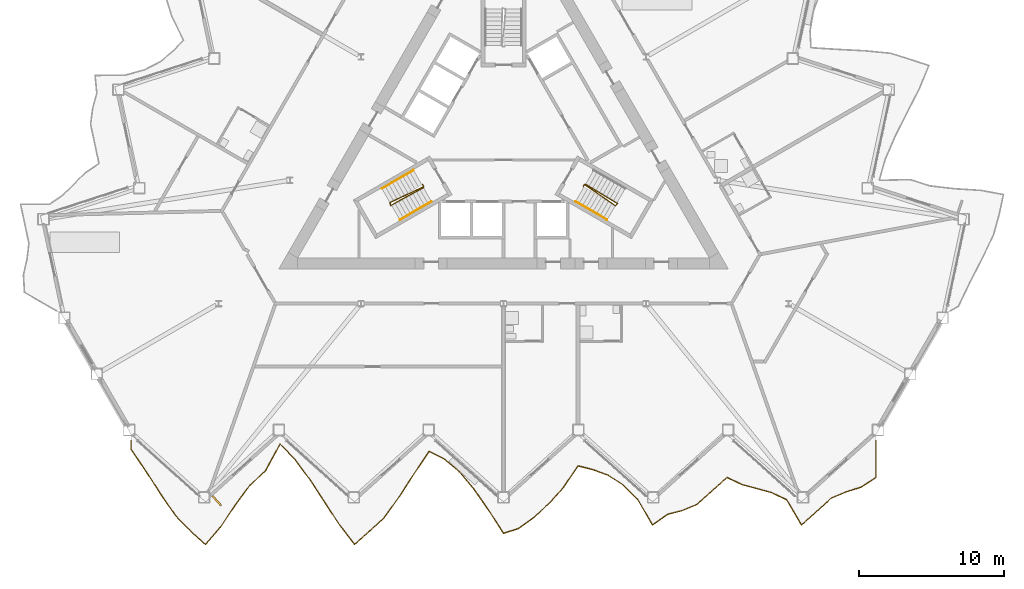
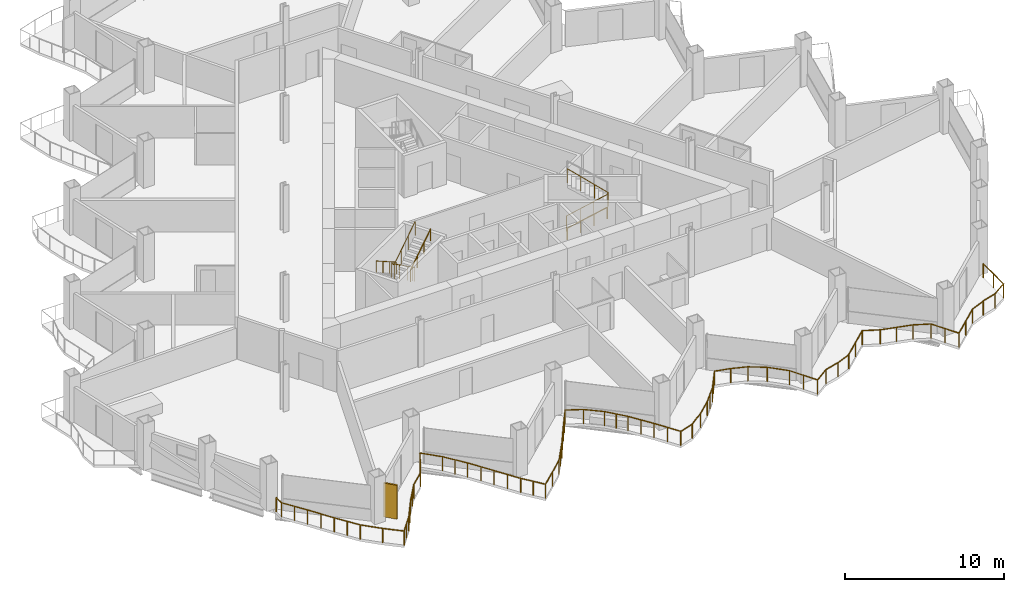
# One storey, part 18 of 22: 6 railings, 1 shading device.
"""IFC4 building model written with IfcOpenShell, lengths in metres."""

from ifc_helpers import new_model, si_unit, direction, frame, origin, origin_2d, place, context, subcontext, project, spatial, rectangle, circle, extrude, material, layer, layer_set, type_object, element, save


model = new_model("IFC4")

# Units and contexts
model_context = context("Model", 3, precision=1e-05, world=origin(), true_north=direction((0.0, 1.0)))
body_context = subcontext(model_context, "Body", "Model", "MODEL_VIEW")
ifc_project = project(units=[si_unit("LENGTHUNIT", "METRE"), si_unit("AREAUNIT", "SQUARE_METRE"), si_unit("VOLUMEUNIT", "CUBIC_METRE"), si_unit("PLANEANGLEUNIT", "RADIAN"), si_unit("MASSUNIT", "GRAM", prefix="KILO")], contexts=[model_context])

# Site, building, storey
site_placement = place(None, origin())
site = spatial("IfcSite", under=ifc_project, at=site_placement, CompositionType="ELEMENT")
building_placement = place(site_placement, origin())
building = spatial("IfcBuilding", under=site, at=building_placement, Name="Cormorant Prow Tower", CompositionType="ELEMENT")
storey_placement = place(building_placement, frame((0.0, 0.0, 198.0)))
storey = spatial("IfcBuildingStorey", under=building, at=storey_placement, Name="L43", CompositionType="ELEMENT", Elevation=198.0)

# Railings
ifc_material_1 = material(Name="Aluminium 6063-T6", Category="aluminium")
railing_type_1 = type_object("IfcRailingType", Name="Balcony guard 1100", PredefinedType="GUARDRAIL", material=ifc_material_1)
railing_1_placement = place(storey_placement, frame((-25.692626953125, -20.779052734375, 0.0)))
element("IfcRailing", 1, at=railing_1_placement, inside=storey, type_object=railing_type_1, Name="Balcony guard S", PredefinedType="GUARDRAIL", context=body_context, shape_type="SweptSolid", body=[
    extrude(circle(Radius=0.02392578125, at=origin_2d()), frame((0.0, 0.0, 1.076171875), z_axis=(0.0, -1.0, 0.0), x_axis=(1.0, 0.0, 0.0)), (0.0, 0.0, 1.0), 0.635986328125),
    extrude(circle(Radius=0.02392578125, at=origin_2d()), frame((0.0, -0.635986328125, 1.076171875), z_axis=(0.562880383359, -0.826538368153, 0.0), x_axis=(0.826538368153, 0.562880383359, 0.0)), (0.0, 0.0, 1.0), 1.825927734375),
    extrude(circle(Radius=0.02392578125, at=origin_2d()), frame((1.02783203125, -2.145263671875, 1.076171875), z_axis=(0.5414205618, -0.840751910649, 0.0), x_axis=(0.840751910649, 0.5414205618, 0.0)), (0.0, 0.0, 1.0), 1.89794921875),
    extrude(circle(Radius=0.02392578125, at=origin_2d()), frame((2.055419921875, -3.740966796875, 1.076171875), z_axis=(0.56798835838, -0.823036587731, 0.0), x_axis=(0.823036587731, 0.56798835838, 0.0)), (0.0, 0.0, 1.0), 1.80908203125),
    extrude(circle(Radius=0.02392578125, at=origin_2d()), frame((3.0830078125, -5.22998046875, 1.076171875), z_axis=(0.702503094506, -0.711680688377, 0.0), x_axis=(0.711680688377, 0.702503094506, 0.0)), (0.0, 0.0, 1.0), 1.463134765625),
    extrude(circle(Radius=0.02392578125, at=origin_2d()), frame((4.11083984375, -6.271240234375, 1.076171875), z_axis=(0.743127320917, -0.669150046632, 0.0), x_axis=(0.669150046632, 0.743127320917, 0.0)), (0.0, 0.0, 1.0), 1.3828125),
    extrude(circle(Radius=0.02392578125, at=origin_2d()), frame((5.138427734375, -7.196533203125, 1.076171875), z_axis=(0.65038416504, 0.759605448812, 0.0), x_axis=(-0.759605448812, 0.65038416504, 0.0)), (0.0, 0.0, 1.0), 1.580322265625),
    extrude(circle(Radius=0.02392578125, at=origin_2d()), frame((6.166259765625, -5.99609375, 1.076171875), z_axis=(0.554122819818, 0.832434922716, 0.0), x_axis=(-0.832434922716, 0.554122819818, 0.0)), (0.0, 0.0, 1.0), 1.8544921875),
    extrude(circle(Radius=0.02392578125, at=origin_2d()), frame((7.19384765625, -4.452392578125, 1.076171875), z_axis=(0.59681979502, 0.80237530637, 0.0), x_axis=(-0.80237530637, 0.59681979502, 0.0)), (0.0, 0.0, 1.0), 1.72216796875),
    extrude(circle(Radius=0.02392578125, at=origin_2d()), frame((8.2216796875, -3.070556640625, 1.076171875), z_axis=(0.743127320917, 0.669150046632, 0.0), x_axis=(-0.669150046632, 0.743127320917, 0.0)), (0.0, 0.0, 1.0), 1.3828125),
    extrude(circle(Radius=0.02392578125, at=origin_2d()), frame((9.249267578125, -2.145263671875, 1.076171875), z_axis=(0.481172710417, 0.87662581684, 0.0), x_axis=(-0.87662581684, 0.481172710417, 0.0)), (0.0, 0.0, 1.0), 2.135986328125),
    extrude(circle(Radius=0.02392578125, at=origin_2d()), frame((10.277099609375, -0.272705078125, 1.076171875), z_axis=(0.69552877323, -0.718498243289, 0.0), x_axis=(0.718498243289, 0.69552877323, 0.0)), (0.0, 0.0, 1.0), 1.4775390625),
    extrude(circle(Radius=0.02392578125, at=origin_2d()), frame((11.3046875, -1.334228515625, 1.076171875), z_axis=(0.597023504083, -0.802223744084, 0.0), x_axis=(0.802223744084, 0.597023504083, 0.0)), (0.0, 0.0, 1.0), 1.7216796875),
    extrude(circle(Radius=0.02392578125, at=origin_2d()), frame((12.33251953125, -2.71533203125, 1.076171875), z_axis=(0.547684018413, -0.836685255024, 0.0), x_axis=(0.836685255024, 0.547684018413, 0.0)), (0.0, 0.0, 1.0), 1.876220703125),
    extrude(circle(Radius=0.02392578125, at=origin_2d()), frame((13.360107421875, -4.28515625, 1.076171875), z_axis=(0.547060291965, -0.83709320685, 0.0), x_axis=(0.83709320685, 0.547060291965, 0.0)), (0.0, 0.0, 1.0), 1.87890625),
    extrude(circle(Radius=0.02392578125, at=origin_2d()), frame((14.387939453125, -5.85791015625, 1.076171875), z_axis=(0.608920414258, -0.793231321306, 0.0), x_axis=(0.793231321306, 0.608920414258, 0.0)), (0.0, 0.0, 1.0), 1.6875),
    extrude(circle(Radius=0.02392578125, at=origin_2d()), frame((15.41552734375, -7.196533203125, 1.076171875), z_axis=(0.743206360721, 0.669062258227, 0.0), x_axis=(-0.669062258227, 0.743206360721, 0.0)), (0.0, 0.0, 1.0), 1.383056640625),
    extrude(circle(Radius=0.02392578125, at=origin_2d()), frame((16.443359375, -6.271240234375, 1.076171875), z_axis=(0.738398132873, 0.674365032731, 0.0), x_axis=(-0.674365032731, 0.738398132873, 0.0)), (0.0, 0.0, 1.0), 1.3916015625),
    extrude(circle(Radius=0.02392578125, at=origin_2d()), frame((17.470947265625, -5.332763671875, 1.076171875), z_axis=(0.582218913064, 0.81303206411, 0.0), x_axis=(-0.81303206411, 0.582218913064, 0.0)), (0.0, 0.0, 1.0), 1.765380859375),
    extrude(circle(Radius=0.02392578125, at=origin_2d()), frame((18.498779296875, -3.8974609375, 1.076171875), z_axis=(0.543476120583, 0.839424628157, 0.0), x_axis=(-0.839424628157, 0.543476120583, 0.0)), (0.0, 0.0, 1.0), 1.890869140625),
    extrude(circle(Radius=0.02392578125, at=origin_2d()), frame((19.5263671875, -2.310302734375, 1.076171875), z_axis=(0.553122603933, 0.833099864973, 0.0), x_axis=(-0.833099864973, 0.553122603933, 0.0)), (0.0, 0.0, 1.0), 1.858154296875),
    extrude(circle(Radius=0.02392578125, at=origin_2d()), frame((20.55419921875, -0.76220703125, 1.076171875), z_axis=(0.89199817842, -0.452038991345, 0.0), x_axis=(0.452038991345, 0.89199817842, 0.0)), (0.0, 0.0, 1.0), 1.152099609375),
    extrude(circle(Radius=0.02392578125, at=origin_2d()), frame((21.581787109375, -1.282958984375, 1.076171875), z_axis=(0.768789762863, -0.639501603217, 0.0), x_axis=(0.639501603217, 0.768789762863, 0.0)), (0.0, 0.0, 1.0), 1.3369140625),
    extrude(circle(Radius=0.02392578125, at=origin_2d()), frame((22.609619140625, -2.137939453125, 1.076171875), z_axis=(0.647402819957, -0.762148009714, 0.0), x_axis=(0.762148009714, 0.647402819957, 0.0)), (0.0, 0.0, 1.0), 1.587158203125),
    extrude(circle(Radius=0.02392578125, at=origin_2d()), frame((23.63720703125, -3.34765625, 1.076171875), z_axis=(0.569723566224, -0.821836393748, 0.0), x_axis=(0.821836393748, 0.569723566224, 0.0)), (0.0, 0.0, 1.0), 1.80419921875),
    extrude(circle(Radius=0.02392578125, at=origin_2d()), frame((24.6650390625, -4.830322265625, 1.076171875), z_axis=(0.541537690381, -0.840676471597, 0.0), x_axis=(0.840676471597, 0.541537690381, 0.0)), (0.0, 0.0, 1.0), 1.8974609375),
    extrude(circle(Radius=0.02392578125, at=origin_2d()), frame((25.692626953125, -6.425537109375, 1.076171875), z_axis=(0.950496607834, 0.310734932853, 0.0), x_axis=(-0.310734932853, 0.950496607834, 0.0)), (0.0, 0.0, 1.0), 1.0810546875),
    extrude(circle(Radius=0.02392578125, at=origin_2d()), frame((26.72021484375, -6.089599609375, 1.076171875), z_axis=(0.810181630991, 0.586178918765, 0.0), x_axis=(-0.586178918765, 0.810181630991, 0.0)), (0.0, 0.0, 1.0), 1.2685546875),
    extrude(circle(Radius=0.02392578125, at=origin_2d()), frame((27.748046875, -5.345947265625, 1.076171875), z_axis=(0.743127320917, 0.669150046632, 0.0), x_axis=(-0.669150046632, 0.743127320917, 0.0)), (0.0, 0.0, 1.0), 1.3828125),
    extrude(circle(Radius=0.02392578125, at=origin_2d()), frame((28.775634765625, -4.420654296875, 1.076171875), z_axis=(0.673388996179, 0.739288346874, 0.0), x_axis=(-0.739288346874, 0.673388996179, 0.0)), (0.0, 0.0, 1.0), 1.5263671875),
    extrude(circle(Radius=0.02392578125, at=origin_2d()), frame((29.803466796875, -3.292236328125, 1.076171875), z_axis=(0.559445461003, 0.828867164365, 0.0), x_axis=(-0.828867164365, 0.559445461003, 0.0)), (0.0, 0.0, 1.0), 1.8369140625),
    extrude(circle(Radius=0.02392578125, at=origin_2d()), frame((30.8310546875, -1.769775390625, 1.076171875), z_axis=(0.970223783339, -0.242210260401, 0.0), x_axis=(0.242210260401, 0.970223783339, 0.0)), (0.0, 0.0, 1.0), 1.059326171875),
    extrude(circle(Radius=0.02392578125, at=origin_2d()), frame((31.85888671875, -2.0263671875, 1.076171875), z_axis=(0.938825840558, -0.344392277933, 0.0), x_axis=(0.344392277933, 0.938825840558, 0.0)), (0.0, 0.0, 1.0), 1.094482421875),
    extrude(circle(Radius=0.02392578125, at=origin_2d()), frame((32.886474609375, -2.4033203125, 1.076171875), z_axis=(0.843125057898, -0.537717525049, 0.0), x_axis=(0.537717525049, 0.843125057898, 0.0)), (0.0, 0.0, 1.0), 1.218994140625),
    extrude(circle(Radius=0.02392578125, at=origin_2d()), frame((33.914306640625, -3.058837890625, 1.076171875), z_axis=(0.712756953572, -0.701411095674, 0.0), x_axis=(0.701411095674, 0.712756953572, 0.0)), (0.0, 0.0, 1.0), 1.441650390625),
    extrude(circle(Radius=0.02392578125, at=origin_2d()), frame((34.94189453125, -4.070068359375, 1.076171875), z_axis=(0.500768984938, -0.865580974678, 0.0), x_axis=(0.865580974678, 0.500768984938, 0.0)), (0.0, 0.0, 1.0), 2.052490234375),
    extrude(circle(Radius=0.02392578125, at=origin_2d()), frame((35.9697265625, -5.8466796875, 1.076171875), z_axis=(0.814961420902, 0.579515213295, 0.0), x_axis=(-0.579515213295, 0.814961420902, 0.0)), (0.0, 0.0, 1.0), 1.260986328125),
    extrude(circle(Radius=0.02392578125, at=origin_2d()), frame((36.997314453125, -5.115966796875, 1.076171875), z_axis=(0.967967929933, 0.251073866862, 0.0), x_axis=(-0.251073866862, 0.967967929933, 0.0)), (0.0, 0.0, 1.0), 1.061767578125),
    extrude(circle(Radius=0.02392578125, at=origin_2d()), frame((38.025146484375, -4.849365234375, 1.076171875), z_axis=(0.922901671941, 0.385035717731, 0.0), x_axis=(-0.385035717731, 0.922901671941, 0.0)), (0.0, 0.0, 1.0), 1.113525390625),
    extrude(circle(Radius=0.02392578125, at=origin_2d()), frame((39.052734375, -4.420654296875, 1.076171875), z_axis=(0.743206360721, 0.669062258227, 0.0), x_axis=(-0.669062258227, 0.743206360721, 0.0)), (0.0, 0.0, 1.0), 1.383056640625),
    extrude(circle(Radius=0.02392578125, at=origin_2d()), frame((40.08056640625, -3.495361328125, 1.076171875), z_axis=(0.743127320917, 0.669150046632, 0.0), x_axis=(-0.669150046632, 0.743127320917, 0.0)), (0.0, 0.0, 1.0), 1.3828125),
    extrude(circle(Radius=0.02392578125, at=origin_2d()), frame((41.108154296875, -2.570068359375, 1.076171875), z_axis=(0.90400437301, -0.427523208234, 0.0), x_axis=(0.427523208234, 0.90400437301, 0.0)), (0.0, 0.0, 1.0), 1.136962890625),
    extrude(circle(Radius=0.02392578125, at=origin_2d()), frame((42.135986328125, -3.05615234375, 1.076171875), z_axis=(0.966200640542, -0.257791237664, 0.0), x_axis=(0.257791237664, 0.966200640542, 0.0)), (0.0, 0.0, 1.0), 1.0634765625),
    extrude(circle(Radius=0.02392578125, at=origin_2d()), frame((43.16357421875, -3.330322265625, 1.076171875), z_axis=(0.96354413656, -0.267549428893, 0.0), x_axis=(0.267549428893, 0.96354413656, 0.0)), (0.0, 0.0, 1.0), 1.066650390625),
    extrude(circle(Radius=0.02392578125, at=origin_2d()), frame((44.19140625, -3.61572265625, 1.076171875), z_axis=(0.905539017298, -0.424262994087, 0.0), x_axis=(0.424262994087, 0.905539017298, 0.0)), (0.0, 0.0, 1.0), 1.134765625),
    extrude(circle(Radius=0.02392578125, at=origin_2d()), frame((45.218994140625, -4.09716796875, 1.076171875), z_axis=(0.506546812459, -0.862212460353, 0.0), x_axis=(0.862212460353, 0.506546812459, 0.0)), (0.0, 0.0, 1.0), 2.029052734375),
    extrude(circle(Radius=0.02392578125, at=origin_2d()), frame((46.246826171875, -5.8466796875, 1.076171875), z_axis=(0.743127320917, 0.669150046632, 0.0), x_axis=(-0.669150046632, 0.743127320917, 0.0)), (0.0, 0.0, 1.0), 1.3828125),
    extrude(circle(Radius=0.02392578125, at=origin_2d()), frame((47.2744140625, -4.92138671875, 1.076171875), z_axis=(0.743118583138, 0.66915975028, 0.0), x_axis=(-0.66915975028, 0.743118583138, 0.0)), (0.0, 0.0, 1.0), 1.383056640625),
    extrude(circle(Radius=0.02392578125, at=origin_2d()), frame((48.30224609375, -3.995849609375, 1.076171875), z_axis=(0.919449829032, 0.393207339572, 0.0), x_axis=(-0.393207339572, 0.919449829032, 0.0)), (0.0, 0.0, 1.0), 1.11767578125),
    extrude(circle(Radius=0.02392578125, at=origin_2d()), frame((49.329833984375, -3.556396484375, 1.076171875), z_axis=(0.956547183631, 0.291577580565, 0.0), x_axis=(-0.291577580565, 0.956547183631, 0.0)), (0.0, 0.0, 1.0), 1.07421875),
    extrude(circle(Radius=0.02392578125, at=origin_2d()), frame((50.357421875, -3.2431640625, 1.076171875), z_axis=(0.83657732916, 0.547848859025, 0.0), x_axis=(-0.547848859025, 0.83657732916, 0.0)), (0.0, 0.0, 1.0), 1.228515625),
    extrude(circle(Radius=0.02392578125, at=origin_2d()), frame((51.38525390625, -2.570068359375, 1.076171875), z_axis=(0.0, 1.0, 0.0), x_axis=(-1.0, 0.0, 0.0)), (0.0, 0.0, 1.0), 2.570068359375),
    extrude(circle(Radius=0.02099609375, at=origin_2d()), origin(), (0.0, 0.0, 1.0), 1.052001953125),
    extrude(circle(Radius=0.02099609375, at=origin_2d()), frame((0.0, -0.635986328125, 0.0)), (0.0, 0.0, 1.0), 1.052001953125),
    extrude(circle(Radius=0.02099609375, at=origin_2d()), frame((0.513916015625, -1.390625, 0.0)), (0.0, 0.0, 1.0), 1.052001953125),
    extrude(circle(Radius=0.02099609375, at=origin_2d()), frame((1.02783203125, -2.145263671875, 0.0)), (0.0, 0.0, 1.0), 1.052001953125),
    extrude(circle(Radius=0.02099609375, at=origin_2d()), frame((1.54150390625, -2.943115234375, 0.0)), (0.0, 0.0, 1.0), 1.052001953125),
    extrude(circle(Radius=0.02099609375, at=origin_2d()), frame((2.055419921875, -3.740966796875, 0.0)), (0.0, 0.0, 1.0), 1.052001953125),
    extrude(circle(Radius=0.02099609375, at=origin_2d()), frame((2.5693359375, -4.4853515625, 0.0)), (0.0, 0.0, 1.0), 1.052001953125),
    extrude(circle(Radius=0.02099609375, at=origin_2d()), frame((3.0830078125, -5.22998046875, 0.0)), (0.0, 0.0, 1.0), 1.052001953125),
    extrude(circle(Radius=0.02099609375, at=origin_2d()), frame((4.11083984375, -6.271240234375, 0.0)), (0.0, 0.0, 1.0), 1.052001953125),
    extrude(circle(Radius=0.02099609375, at=origin_2d()), frame((5.138427734375, -7.196533203125, 0.0)), (0.0, 0.0, 1.0), 1.052001953125),
    extrude(circle(Radius=0.02099609375, at=origin_2d()), frame((5.65234375, -6.59619140625, 0.0)), (0.0, 0.0, 1.0), 1.052001953125),
    extrude(circle(Radius=0.02099609375, at=origin_2d()), frame((6.166259765625, -5.99609375, 0.0)), (0.0, 0.0, 1.0), 1.052001953125),
    extrude(circle(Radius=0.02099609375, at=origin_2d()), frame((6.68017578125, -5.22412109375, 0.0)), (0.0, 0.0, 1.0), 1.052001953125),
    extrude(circle(Radius=0.02099609375, at=origin_2d()), frame((7.19384765625, -4.452392578125, 0.0)), (0.0, 0.0, 1.0), 1.052001953125),
    extrude(circle(Radius=0.02099609375, at=origin_2d()), frame((7.707763671875, -3.761474609375, 0.0)), (0.0, 0.0, 1.0), 1.052001953125),
    extrude(circle(Radius=0.02099609375, at=origin_2d()), frame((8.2216796875, -3.070556640625, 0.0)), (0.0, 0.0, 1.0), 1.052001953125),
    extrude(circle(Radius=0.02099609375, at=origin_2d()), frame((9.249267578125, -2.145263671875, 0.0)), (0.0, 0.0, 1.0), 1.052001953125),
    extrude(circle(Radius=0.02099609375, at=origin_2d()), frame((9.76318359375, -1.208984375, 0.0)), (0.0, 0.0, 1.0), 1.052001953125),
    extrude(circle(Radius=0.02099609375, at=origin_2d()), frame((10.277099609375, -0.272705078125, 0.0)), (0.0, 0.0, 1.0), 1.052001953125),
    extrude(circle(Radius=0.02099609375, at=origin_2d()), frame((11.3046875, -1.334228515625, 0.0)), (0.0, 0.0, 1.0), 1.052001953125),
    extrude(circle(Radius=0.02099609375, at=origin_2d()), frame((11.818603515625, -2.02490234375, 0.0)), (0.0, 0.0, 1.0), 1.052001953125),
    extrude(circle(Radius=0.02099609375, at=origin_2d()), frame((12.33251953125, -2.71533203125, 0.0)), (0.0, 0.0, 1.0), 1.052001953125),
    extrude(circle(Radius=0.02099609375, at=origin_2d()), frame((12.84619140625, -3.500244140625, 0.0)), (0.0, 0.0, 1.0), 1.052001953125),
    extrude(circle(Radius=0.02099609375, at=origin_2d()), frame((13.360107421875, -4.28515625, 0.0)), (0.0, 0.0, 1.0), 1.052001953125),
    extrude(circle(Radius=0.02099609375, at=origin_2d()), frame((13.8740234375, -5.071533203125, 0.0)), (0.0, 0.0, 1.0), 1.052001953125),
    extrude(circle(Radius=0.02099609375, at=origin_2d()), frame((14.387939453125, -5.85791015625, 0.0)), (0.0, 0.0, 1.0), 1.052001953125),
    extrude(circle(Radius=0.02099609375, at=origin_2d()), frame((14.90185546875, -6.52734375, 0.0)), (0.0, 0.0, 1.0), 1.052001953125),
    extrude(circle(Radius=0.02099609375, at=origin_2d()), frame((15.41552734375, -7.196533203125, 0.0)), (0.0, 0.0, 1.0), 1.052001953125),
    extrude(circle(Radius=0.02099609375, at=origin_2d()), frame((16.443359375, -6.271240234375, 0.0)), (0.0, 0.0, 1.0), 1.052001953125),
    extrude(circle(Radius=0.02099609375, at=origin_2d()), frame((17.470947265625, -5.332763671875, 0.0)), (0.0, 0.0, 1.0), 1.052001953125),
    extrude(circle(Radius=0.02099609375, at=origin_2d()), frame((17.98486328125, -4.615234375, 0.0)), (0.0, 0.0, 1.0), 1.052001953125),
    extrude(circle(Radius=0.02099609375, at=origin_2d()), frame((18.498779296875, -3.8974609375, 0.0)), (0.0, 0.0, 1.0), 1.052001953125),
    extrude(circle(Radius=0.02099609375, at=origin_2d()), frame((19.0126953125, -3.10400390625, 0.0)), (0.0, 0.0, 1.0), 1.052001953125),
    extrude(circle(Radius=0.02099609375, at=origin_2d()), frame((19.5263671875, -2.310302734375, 0.0)), (0.0, 0.0, 1.0), 1.052001953125),
    extrude(circle(Radius=0.02099609375, at=origin_2d()), frame((20.040283203125, -1.5361328125, 0.0)), (0.0, 0.0, 1.0), 1.052001953125),
    extrude(circle(Radius=0.02099609375, at=origin_2d()), frame((20.55419921875, -0.76220703125, 0.0)), (0.0, 0.0, 1.0), 1.052001953125),
    extrude(circle(Radius=0.02099609375, at=origin_2d()), frame((21.581787109375, -1.282958984375, 0.0)), (0.0, 0.0, 1.0), 1.052001953125),
    extrude(circle(Radius=0.02099609375, at=origin_2d()), frame((22.609619140625, -2.137939453125, 0.0)), (0.0, 0.0, 1.0), 1.052001953125),
    extrude(circle(Radius=0.02099609375, at=origin_2d()), frame((23.12353515625, -2.74267578125, 0.0)), (0.0, 0.0, 1.0), 1.052001953125),
    extrude(circle(Radius=0.02099609375, at=origin_2d()), frame((23.63720703125, -3.34765625, 0.0)), (0.0, 0.0, 1.0), 1.052001953125),
    extrude(circle(Radius=0.02099609375, at=origin_2d()), frame((24.151123046875, -4.0888671875, 0.0)), (0.0, 0.0, 1.0), 1.052001953125),
    extrude(circle(Radius=0.02099609375, at=origin_2d()), frame((24.6650390625, -4.830322265625, 0.0)), (0.0, 0.0, 1.0), 1.052001953125),
    extrude(circle(Radius=0.02099609375, at=origin_2d()), frame((25.1787109375, -5.6279296875, 0.0)), (0.0, 0.0, 1.0), 1.052001953125),
    extrude(circle(Radius=0.02099609375, at=origin_2d()), frame((25.692626953125, -6.425537109375, 0.0)), (0.0, 0.0, 1.0), 1.052001953125),
    extrude(circle(Radius=0.02099609375, at=origin_2d()), frame((26.72021484375, -6.089599609375, 0.0)), (0.0, 0.0, 1.0), 1.052001953125),
    extrude(circle(Radius=0.02099609375, at=origin_2d()), frame((27.748046875, -5.345947265625, 0.0)), (0.0, 0.0, 1.0), 1.052001953125),
    extrude(circle(Radius=0.02099609375, at=origin_2d()), frame((28.775634765625, -4.420654296875, 0.0)), (0.0, 0.0, 1.0), 1.052001953125),
    extrude(circle(Radius=0.02099609375, at=origin_2d()), frame((29.28955078125, -3.8564453125, 0.0)), (0.0, 0.0, 1.0), 1.052001953125),
    extrude(circle(Radius=0.02099609375, at=origin_2d()), frame((29.803466796875, -3.292236328125, 0.0)), (0.0, 0.0, 1.0), 1.052001953125),
    extrude(circle(Radius=0.02099609375, at=origin_2d()), frame((30.3173828125, -2.531005859375, 0.0)), (0.0, 0.0, 1.0), 1.052001953125),
    extrude(circle(Radius=0.02099609375, at=origin_2d()), frame((30.8310546875, -1.769775390625, 0.0)), (0.0, 0.0, 1.0), 1.052001953125),
    extrude(circle(Radius=0.02099609375, at=origin_2d()), frame((31.85888671875, -2.0263671875, 0.0)), (0.0, 0.0, 1.0), 1.052001953125),
    extrude(circle(Radius=0.02099609375, at=origin_2d()), frame((32.886474609375, -2.4033203125, 0.0)), (0.0, 0.0, 1.0), 1.052001953125),
    extrude(circle(Radius=0.02099609375, at=origin_2d()), frame((33.914306640625, -3.058837890625, 0.0)), (0.0, 0.0, 1.0), 1.052001953125),
    extrude(circle(Radius=0.02099609375, at=origin_2d()), frame((34.94189453125, -4.070068359375, 0.0)), (0.0, 0.0, 1.0), 1.052001953125),
    extrude(circle(Radius=0.02099609375, at=origin_2d()), frame((35.455810546875, -4.95849609375, 0.0)), (0.0, 0.0, 1.0), 1.052001953125),
    extrude(circle(Radius=0.02099609375, at=origin_2d()), frame((35.9697265625, -5.8466796875, 0.0)), (0.0, 0.0, 1.0), 1.052001953125),
    extrude(circle(Radius=0.02099609375, at=origin_2d()), frame((36.997314453125, -5.115966796875, 0.0)), (0.0, 0.0, 1.0), 1.052001953125),
    extrude(circle(Radius=0.02099609375, at=origin_2d()), frame((38.025146484375, -4.849365234375, 0.0)), (0.0, 0.0, 1.0), 1.052001953125),
    extrude(circle(Radius=0.02099609375, at=origin_2d()), frame((39.052734375, -4.420654296875, 0.0)), (0.0, 0.0, 1.0), 1.052001953125),
    extrude(circle(Radius=0.02099609375, at=origin_2d()), frame((40.08056640625, -3.495361328125, 0.0)), (0.0, 0.0, 1.0), 1.052001953125),
    extrude(circle(Radius=0.02099609375, at=origin_2d()), frame((41.108154296875, -2.570068359375, 0.0)), (0.0, 0.0, 1.0), 1.052001953125),
    extrude(circle(Radius=0.02099609375, at=origin_2d()), frame((42.135986328125, -3.05615234375, 0.0)), (0.0, 0.0, 1.0), 1.052001953125),
    extrude(circle(Radius=0.02099609375, at=origin_2d()), frame((43.16357421875, -3.330322265625, 0.0)), (0.0, 0.0, 1.0), 1.052001953125),
    extrude(circle(Radius=0.02099609375, at=origin_2d()), frame((44.19140625, -3.61572265625, 0.0)), (0.0, 0.0, 1.0), 1.052001953125),
    extrude(circle(Radius=0.02099609375, at=origin_2d()), frame((45.218994140625, -4.09716796875, 0.0)), (0.0, 0.0, 1.0), 1.052001953125),
    extrude(circle(Radius=0.02099609375, at=origin_2d()), frame((45.73291015625, -4.971923828125, 0.0)), (0.0, 0.0, 1.0), 1.052001953125),
    extrude(circle(Radius=0.02099609375, at=origin_2d()), frame((46.246826171875, -5.8466796875, 0.0)), (0.0, 0.0, 1.0), 1.052001953125),
    extrude(circle(Radius=0.02099609375, at=origin_2d()), frame((47.2744140625, -4.92138671875, 0.0)), (0.0, 0.0, 1.0), 1.052001953125),
    extrude(circle(Radius=0.02099609375, at=origin_2d()), frame((48.30224609375, -3.995849609375, 0.0)), (0.0, 0.0, 1.0), 1.052001953125),
    extrude(circle(Radius=0.02099609375, at=origin_2d()), frame((49.329833984375, -3.556396484375, 0.0)), (0.0, 0.0, 1.0), 1.052001953125),
    extrude(circle(Radius=0.02099609375, at=origin_2d()), frame((50.357421875, -3.2431640625, 0.0)), (0.0, 0.0, 1.0), 1.052001953125),
    extrude(circle(Radius=0.02099609375, at=origin_2d()), frame((51.38525390625, -2.570068359375, 0.0)), (0.0, 0.0, 1.0), 1.052001953125),
    extrude(circle(Radius=0.02099609375, at=origin_2d()), frame((51.38525390625, -1.28515625, 0.0)), (0.0, 0.0, 1.0), 1.052001953125),
    extrude(circle(Radius=0.02099609375, at=origin_2d()), frame((51.38525390625, 0.0, 0.0)), (0.0, 0.0, 1.0), 1.052001953125),
])
ifc_material_2 = material(Name="Stainless steel", Category="steel")
railing_type_2 = type_object("IfcRailingType", Name="Stair guard 1100", PredefinedType="GUARDRAIL", material=ifc_material_2)
railing_2_placement = place(storey_placement, frame((-5.585205078125, -3.137939453125, 0.0)))
element("IfcRailing", 2, at=railing_2_placement, inside=storey, type_object=railing_type_2, Name="L43 ST1 stair guard 1", PredefinedType="GUARDRAIL", context=body_context, shape_type="SweptSolid", body=[
    extrude(circle(Radius=0.02392578125, at=origin_2d()), frame((0.0, 0.0, 1.076171875), z_axis=(0.501036270542, -0.865426285481, 0.0), x_axis=(0.865426285481, 0.501036270542, 0.0)), (0.0, 0.0, 1.0), 0.150146484375),
    extrude(circle(Radius=0.02392578125, at=origin_2d()), frame((0.0751953125, -0.1298828125, 1.076171875), z_axis=(-0.739707038506, -0.353624380995, 0.572523619033), x_axis=(0.431308035802, -0.902204731895, 0.0)), (0.0, 0.0, 1.0), 3.14404296875),
    extrude(circle(Radius=0.02392578125, at=origin_2d()), frame((-2.25048828125, -1.24169921875, 2.8759765625), z_axis=(0.274721127897, -0.961523947641, 0.0), x_axis=(0.961523947641, 0.274721127897, 0.0)), (0.0, 0.0, 1.0), 0.2060546875),
    extrude(circle(Radius=0.02392578125, at=origin_2d()), frame((-2.19384765625, -1.43994140625, 2.8759765625), z_axis=(0.717223475266, 0.39568267656, 0.573607623727), x_axis=(-0.483052234887, 0.87559153626, 0.0)), (0.0, 0.0, 1.0), 3.13818359375),
    extrude(circle(Radius=0.02099609375, at=origin_2d()), origin(), (0.0, 0.0, 1.0), 1.052001953125),
    extrude(circle(Radius=0.02099609375, at=origin_2d()), frame((0.0751953125, -0.1298828125, 0.0)), (0.0, 0.0, 1.0), 1.052001953125),
    extrude(circle(Radius=0.02099609375, at=origin_2d()), frame((-0.699951171875, -0.50048828125, 0.60009765625)), (0.0, 0.0, 1.0), 1.052001953125),
    extrude(circle(Radius=0.02099609375, at=origin_2d()), frame((-1.475341796875, -0.87109375, 1.199951171875)), (0.0, 0.0, 1.0), 1.052001953125),
    extrude(circle(Radius=0.02099609375, at=origin_2d()), frame((-2.25048828125, -1.24169921875, 1.800048828125)), (0.0, 0.0, 1.0), 1.052001953125),
    extrude(circle(Radius=0.02099609375, at=origin_2d()), frame((-2.19384765625, -1.43994140625, 1.800048828125)), (0.0, 0.0, 1.0), 1.052001953125),
    extrude(circle(Radius=0.02099609375, at=origin_2d()), frame((-1.443603515625, -1.026123046875, 2.400146484375)), (0.0, 0.0, 1.0), 1.052001953125),
    extrude(circle(Radius=0.02099609375, at=origin_2d()), frame((-0.693359375, -0.612060546875, 3.0)), (0.0, 0.0, 1.0), 1.052001953125),
    extrude(circle(Radius=0.02099609375, at=origin_2d()), frame((0.056884765625, -0.1982421875, 3.60009765625)), (0.0, 0.0, 1.0), 1.052001953125),
])
railing_3_placement = place(storey_placement, frame((5.510009765625, -3.267822265625, 0.0)))
element("IfcRailing", 3, at=railing_3_placement, inside=storey, type_object=railing_type_2, Name="L43 ST2 stair guard 1", PredefinedType="GUARDRAIL", context=body_context, shape_type="SweptSolid", body=[
    extrude(circle(Radius=0.02392578125, at=origin_2d()), frame((0.0, 0.0, 1.076171875), z_axis=(0.501036270542, 0.865426285481, 0.0), x_axis=(-0.865426285481, 0.501036270542, 0.0)), (0.0, 0.0, 1.0), 0.150146484375),
    extrude(circle(Radius=0.02392578125, at=origin_2d()), frame((0.0751953125, 0.1298828125, 1.076171875), z_axis=(0.676058237057, -0.463829066155, 0.572545070276), x_axis=(0.565732651216, 0.824588726183, 0.0)), (0.0, 0.0, 1.0), 3.14404296875),
    extrude(circle(Radius=0.02392578125, at=origin_2d()), frame((2.20068359375, -1.328369140625, 2.8759765625), z_axis=(0.695164929852, 0.718850276695, 0.0), x_axis=(-0.718850276695, 0.695164929852, 0.0)), (0.0, 0.0, 1.0), 0.2060546875),
    extrude(circle(Radius=0.02392578125, at=origin_2d()), frame((2.343994140625, -1.18017578125, 2.8759765625), z_axis=(-0.70127624584, 0.423301980654, 0.573608804147), x_axis=(-0.516770599887, -0.856123908726, 0.0)), (0.0, 0.0, 1.0), 3.13818359375),
    extrude(circle(Radius=0.02099609375, at=origin_2d()), origin(), (0.0, 0.0, 1.0), 1.052001953125),
    extrude(circle(Radius=0.02099609375, at=origin_2d()), frame((0.0751953125, 0.1298828125, 0.0)), (0.0, 0.0, 1.0), 1.052001953125),
    extrude(circle(Radius=0.02099609375, at=origin_2d()), frame((0.78369140625, -0.356201171875, 0.60009765625)), (0.0, 0.0, 1.0), 1.052001953125),
    extrude(circle(Radius=0.02099609375, at=origin_2d()), frame((1.4921875, -0.84228515625, 1.199951171875)), (0.0, 0.0, 1.0), 1.052001953125),
    extrude(circle(Radius=0.02099609375, at=origin_2d()), frame((2.20068359375, -1.328369140625, 1.800048828125)), (0.0, 0.0, 1.0), 1.052001953125),
    extrude(circle(Radius=0.02099609375, at=origin_2d()), frame((2.343994140625, -1.18017578125, 1.800048828125)), (0.0, 0.0, 1.0), 1.052001953125),
    extrude(circle(Radius=0.02099609375, at=origin_2d()), frame((1.6103515625, -0.7373046875, 2.400146484375)), (0.0, 0.0, 1.0), 1.052001953125),
    extrude(circle(Radius=0.02099609375, at=origin_2d()), frame((0.876953125, -0.294677734375, 3.0)), (0.0, 0.0, 1.0), 1.052001953125),
    extrude(circle(Radius=0.02099609375, at=origin_2d()), frame((0.143310546875, 0.148193359375, 3.60009765625)), (0.0, 0.0, 1.0), 1.052001953125),
])
ifc_material_3 = material(Name="Stainless steel", Category="steel")
railing_type_3 = type_object("IfcRailingType", Name="Stair handrail 900", PredefinedType="HANDRAIL", material=ifc_material_3)
railing_4_placement = place(storey_placement, frame((-6.212890625, -2.150634765625, 0.179931640625)))
element("IfcRailing", 4, at=railing_4_placement, inside=storey, type_object=railing_type_3, Name="L43 ST1 stair handrail 1", PredefinedType="HANDRAIL", context=body_context, shape_type="SweptSolid", body=[
    extrude(circle(Radius=0.02392578125, at=origin_2d()), frame((0.0, 0.0, 0.8759765625), z_axis=(-0.728463801763, -0.420584145978, 0.540785970299), x_axis=(0.500004791531, -0.866022637375, 0.0)), (0.0, 0.0, 1.0), 2.995849609375),
    extrude(circle(Radius=0.02099609375, at=origin_2d()), origin(), (0.0, 0.0, 1.0), 0.851806640625),
    extrude(circle(Radius=0.02099609375, at=origin_2d()), frame((-0.7275390625, -0.419921875, 0.5400390625)), (0.0, 0.0, 1.0), 0.851806640625),
    extrude(circle(Radius=0.02099609375, at=origin_2d()), frame((-1.454833984375, -0.840087890625, 1.080078125)), (0.0, 0.0, 1.0), 0.851806640625),
    extrude(circle(Radius=0.02099609375, at=origin_2d()), frame((-2.182373046875, -1.260009765625, 1.6201171875)), (0.0, 0.0, 1.0), 0.851806640625),
])
railing_5_placement = place(storey_placement, frame((-7.1513671875, -5.565185546875, 1.97998046875)))
element("IfcRailing", 5, at=railing_5_placement, inside=storey, type_object=railing_type_3, Name="L43 ST1 stair handrail 2", PredefinedType="HANDRAIL", context=body_context, shape_type="SweptSolid", body=[
    extrude(circle(Radius=0.02392578125, at=origin_2d()), frame((0.0, 0.0, 0.8759765625), z_axis=(0.728463801763, 0.420584145978, 0.540785970299), x_axis=(-0.500004791531, 0.866022637375, 0.0)), (0.0, 0.0, 1.0), 2.995849609375),
    extrude(circle(Radius=0.02099609375, at=origin_2d()), origin(), (0.0, 0.0, 1.0), 0.851806640625),
    extrude(circle(Radius=0.02099609375, at=origin_2d()), frame((0.7275390625, 0.419921875, 0.5400390625)), (0.0, 0.0, 1.0), 0.851806640625),
    extrude(circle(Radius=0.02099609375, at=origin_2d()), frame((1.454833984375, 0.840087890625, 1.080078125)), (0.0, 0.0, 1.0), 0.851806640625),
    extrude(circle(Radius=0.02099609375, at=origin_2d()), frame((2.182373046875, 1.260009765625, 1.6201171875)), (0.0, 0.0, 1.0), 0.851806640625),
])
railing_6_placement = place(storey_placement, frame((4.968994140625, -4.30517578125, 0.179931640625)))
element("IfcRailing", 6, at=railing_6_placement, inside=storey, type_object=railing_type_3, Name="L43 ST2 stair handrail 1", PredefinedType="HANDRAIL", context=body_context, shape_type="SweptSolid", body=[
    extrude(circle(Radius=0.02392578125, at=origin_2d()), frame((0.0, 0.0, 0.8759765625), z_axis=(0.728463801763, -0.420584145978, 0.540785970299), x_axis=(0.500004791531, 0.866022637375, 0.0)), (0.0, 0.0, 1.0), 2.995849609375),
    extrude(circle(Radius=0.02099609375, at=origin_2d()), origin(), (0.0, 0.0, 1.0), 0.851806640625),
    extrude(circle(Radius=0.02099609375, at=origin_2d()), frame((0.7275390625, -0.419921875, 0.5400390625)), (0.0, 0.0, 1.0), 0.851806640625),
    extrude(circle(Radius=0.02099609375, at=origin_2d()), frame((1.454833984375, -0.840087890625, 1.080078125)), (0.0, 0.0, 1.0), 0.851806640625),
    extrude(circle(Radius=0.02099609375, at=origin_2d()), frame((2.182373046875, -1.260009765625, 1.6201171875)), (0.0, 0.0, 1.0), 0.851806640625),
])

# Shading device
ifc_material_4 = material(Name="Terracotta", Category="masonry")
ifc_layer = layer(ifc_material_4, 0.1201171875)
ifc_layer_set = layer_set([ifc_layer], Name="Terracotta")
shading_device_type = type_object("IfcShadingDeviceType", Name="Terracotta baguette fin 120x900x2600", PredefinedType="USERDEFINED", material=ifc_layer_set)
shading_device_placement = place(storey_placement, frame((-19.786376953125, -24.93994140625, 0.0), z_axis=(0.0, 0.0, 1.0), x_axis=(0.743144831959, 0.66913059916, 0.0)))
element("IfcShadingDevice", 7, at=shading_device_placement, inside=storey, type_object=shading_device_type, Name="Baguette fin S01", ObjectType="BAGUETTE", PredefinedType="USERDEFINED", context=body_context, shape_type="SweptSolid", body=[
    extrude(rectangle(XDim=0.1201171875, YDim=0.89990234375, at=origin_2d()), origin(), (0.0, 0.0, 1.0), 2.60009765625),
])

save(model, "model.ifc")
